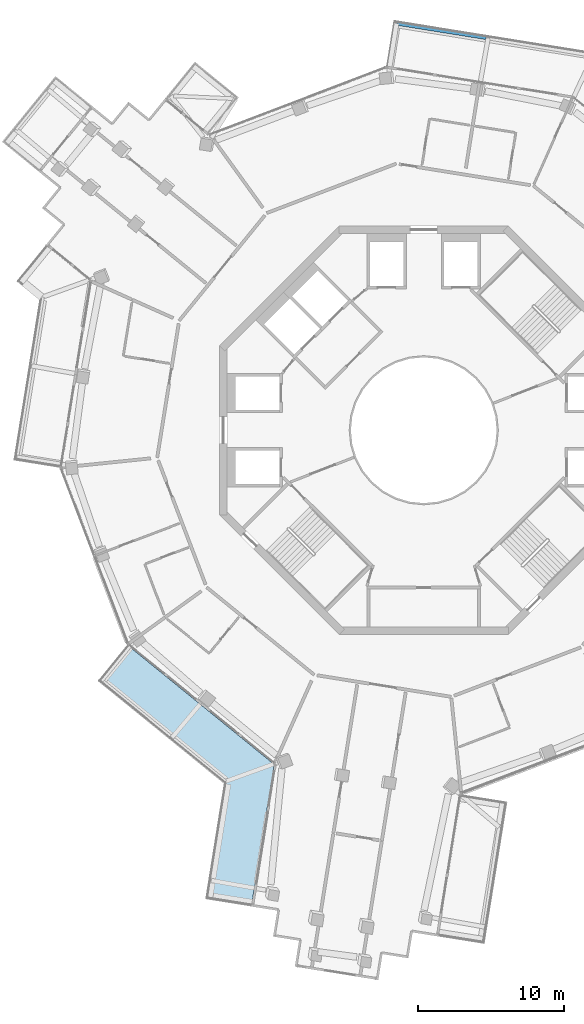
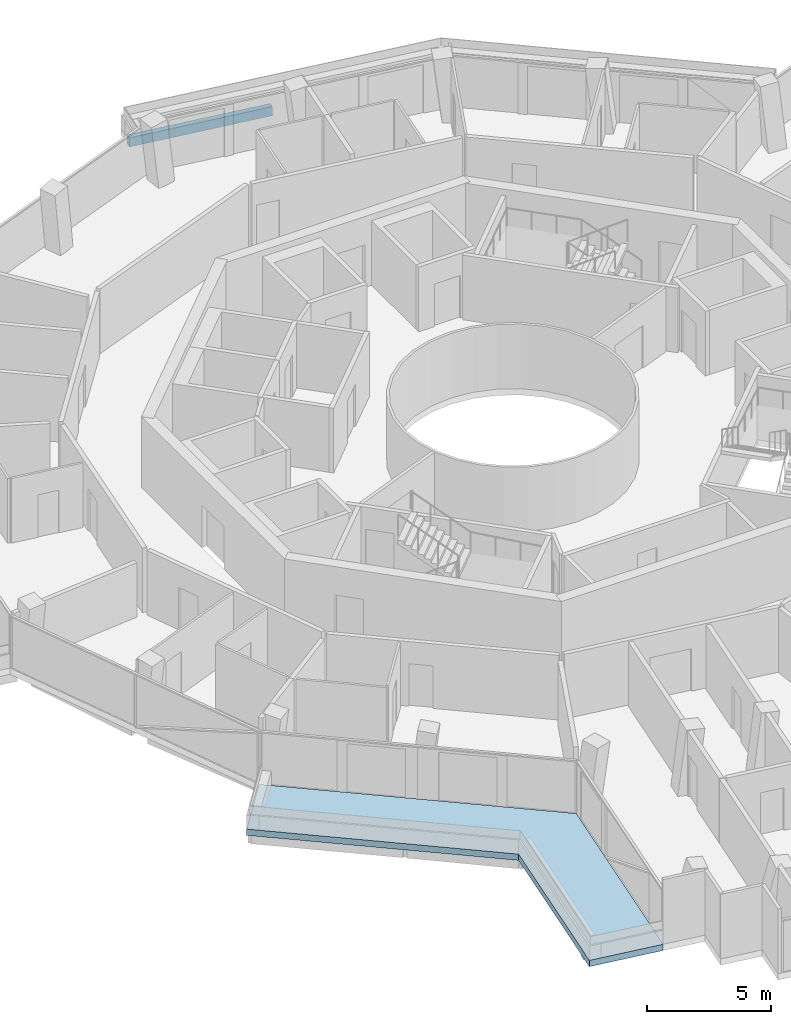
# One storey, part 10 of 23: 1 beam, 1 slab.
"""IFC4 building model written with IfcOpenShell, lengths in metres."""

from ifc_helpers import new_model, si_unit, direction, frame, origin, origin_2d, place, context, subcontext, project, spatial, polyline, rectangle, outline, extrude, material, layer, layer_set, material_profile, profile_set, type_object, element, save


model = new_model("IFC4")

# Units and contexts
model_context = context("Model", 3, precision=1e-05, world=origin(), true_north=direction((0.0, 1.0)))
body_context = subcontext(model_context, "Body", "Model", "MODEL_VIEW")
ifc_project = project(units=[si_unit("LENGTHUNIT", "METRE"), si_unit("AREAUNIT", "SQUARE_METRE"), si_unit("VOLUMEUNIT", "CUBIC_METRE"), si_unit("PLANEANGLEUNIT", "RADIAN"), si_unit("MASSUNIT", "GRAM", prefix="KILO")], contexts=[model_context])

# Site, building, storey
site_placement = place(None, origin())
site = spatial("IfcSite", under=ifc_project, at=site_placement, CompositionType="ELEMENT")
building_placement = place(site_placement, origin())
building = spatial("IfcBuilding", under=site, at=building_placement, Name="Verdalira Terraces Hotel", CompositionType="ELEMENT")
storey_placement = place(building_placement, frame((0.0, 0.0, 241.0)))
storey = spatial("IfcBuildingStorey", under=building, at=storey_placement, Name="L59", CompositionType="ELEMENT", Elevation=241.0)

# Beam
ifc_material_1 = material(Name="Concrete C40", Category="concrete")
ifc_material_profile = material_profile(ifc_material_1, rectangle(XDim=0.25, YDim=0.449951, at=origin_2d()), Name="RC 250X450")
ifc_profile_set = profile_set([ifc_material_profile], Name="Concrete C40")
beam_type = type_object("IfcBeamType", Name="Balcony edge beam RC 250X450 C40", PredefinedType="BEAM", material=ifc_profile_set)
beam_placement = place(storey_placement, frame((4.266602, 26.922363, -0.534912), z_axis=(-0.987357143, 0.158511425, 0.0), x_axis=(-0.158511425, -0.987357143, 0.0)))
element("IfcBeam", 1, at=beam_placement, inside=storey, type_object=beam_type, Name="Balcony edge beam R39-4", PredefinedType="BEAM", context=body_context, shape_type="SweptSolid", body=[
    extrude(rectangle(XDim=0.25, YDim=0.449951, at=origin_2d()), origin(), (0.0, 0.0, 1.0), 6.196289),
])

# Slab
ifc_material_2 = material(Name="Precast concrete C40/50", Category="concrete")
ifc_layer = layer(ifc_material_2, 0.31005859375)
ifc_layer_set = layer_set([ifc_layer], Name="Balcony deck 310")
slab_type = type_object("IfcSlabType", Name="Balcony deck 310", PredefinedType="FLOOR", material=ifc_layer_set)
slab_placement = place(storey_placement, frame((0.0, 0.0, -0.310059)))
element("IfcSlab", 2, at=slab_placement, inside=storey, type_object=slab_type, Name="Balcony deck", PredefinedType="FLOOR", context=body_context, shape_type="SweptSolid", body=[
    extrude(outline(polyline([(-13.715332, -24.238281), (-14.987305, -32.161865), (-11.827637, -32.669189), (-10.262939, -22.921387), (-20.348633, -14.718994), (-22.367676, -17.20166), (-13.715332, -24.238281)])), origin(), (0.0, 0.0, 1.0), 0.310059),
])

save(model, "model.ifc")
